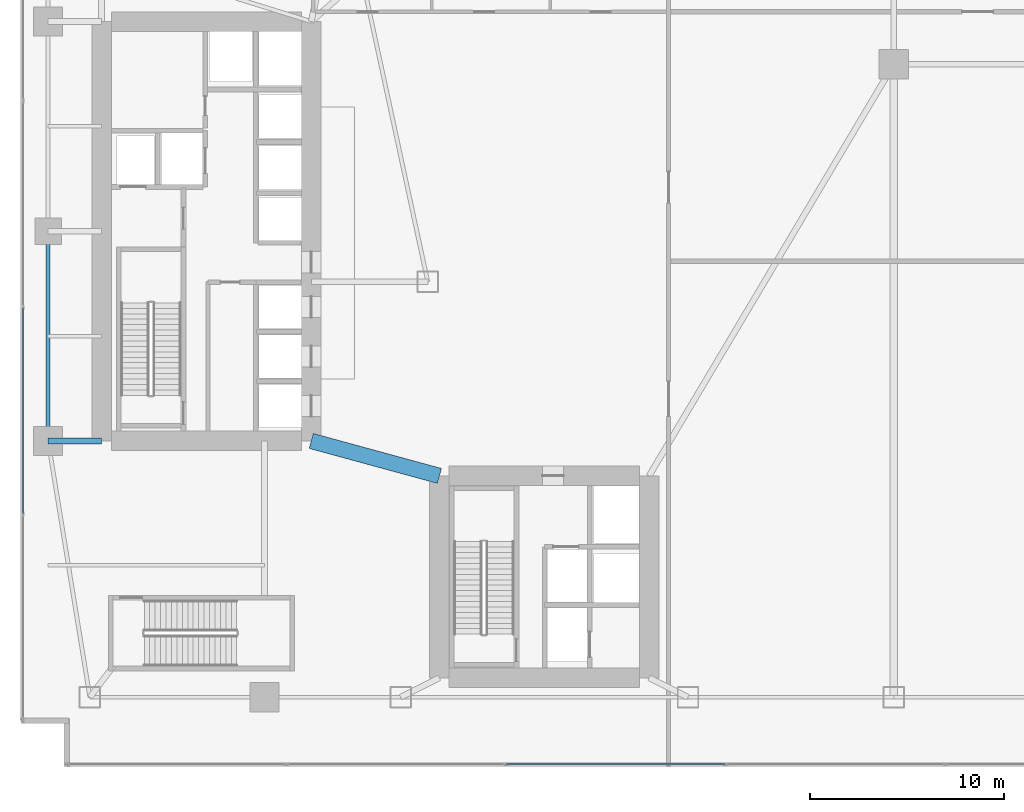
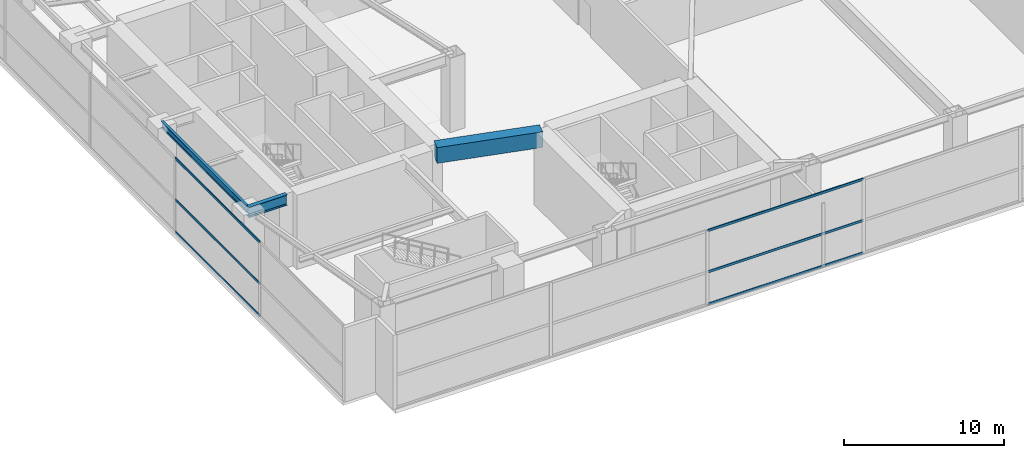
# One storey, part 8 of 35: 6 members, 3 beams, 2 elements without a shape of their own.
"""IFC4 building model written with IfcOpenShell, lengths in metres."""

from ifc_helpers import new_model, si_unit, direction, frame, origin, origin_2d, place, context, subcontext, project, spatial, rectangle, hollow_rectangle, i_section, extrude, material, layer, layer_set, material_profile, profile_set, type_object, element, aggregate, save


model = new_model("IFC4")

# Units and contexts
model_context = context("Model", 3, precision=1e-05, world=origin(), true_north=direction((0.0, 1.0)))
body_context = subcontext(model_context, "Body", "Model", "MODEL_VIEW")
ifc_project = project(units=[si_unit("LENGTHUNIT", "METRE"), si_unit("AREAUNIT", "SQUARE_METRE"), si_unit("VOLUMEUNIT", "CUBIC_METRE"), si_unit("PLANEANGLEUNIT", "RADIAN"), si_unit("MASSUNIT", "GRAM", prefix="KILO")], contexts=[model_context])

# Site, building, storey
site_placement = place(None, origin())
site = spatial("IfcSite", under=ifc_project, at=site_placement, CompositionType="ELEMENT")
building_placement = place(site_placement, origin())
building = spatial("IfcBuilding", under=site, at=building_placement, Name="Calvorn Quay Hotel", CompositionType="ELEMENT")
storey_placement = place(building_placement, frame((0.0, 0.0, 6.0)))
storey = spatial("IfcBuildingStorey", under=building, at=storey_placement, Name="L01", CompositionType="ELEMENT", Elevation=6.0)

# Beams
ifc_material_1 = material(Name="Steel Q390GJC", Category="steel")
ifc_material_profile_1 = material_profile(ifc_material_1, i_section(OverallWidth=0.300048828125, OverallDepth=0.800048828125, WebThickness=0.013916015625, FlangeThickness=0.02587890625, FilletRadius=0.02392578125, at=origin_2d()), Name="HN800x300x14x26")
ifc_profile_set_1 = profile_set([ifc_material_profile_1], Name="Steel Q390GJC")
beam_type_1 = type_object("IfcBeamType", Name="BM-GIRD-POD", PredefinedType="BEAM", material=ifc_profile_set_1)
beam_1_placement = place(storey_placement, frame((1.449951171875, 16.800048828125, 5.280029296875), z_axis=(1.0, 0.0, 0.0), x_axis=(0.0, 1.0, 0.0)))
element("IfcBeam", 1, at=beam_1_placement, inside=storey, type_object=beam_type_1, Name="Beam BG-L01-W1", PredefinedType="BEAM", context=body_context, shape_type="SweptSolid", body=[
    extrude(i_section(OverallWidth=0.300048828125, OverallDepth=0.800048828125, WebThickness=0.013916015625, FlangeThickness=0.02587890625, FilletRadius=0.02392578125, at=origin_2d()), origin(), (0.0, 0.0, 1.0), 2.75),
])
ifc_material_2 = material(Name="Concrete C60", Category="concrete")
ifc_material_profile_2 = material_profile(ifc_material_2, rectangle(XDim=0.800048828125, YDim=1.199951171875, at=origin_2d()), Name="RCB800x1200")
ifc_profile_set_2 = profile_set([ifc_material_profile_2], Name="Concrete C60")
beam_type_2 = type_object("IfcBeamType", Name="BM-RC-LINK-800x1200", PredefinedType="BEAM", material=ifc_profile_set_2)
beam_2_placement = place(storey_placement, frame((15.0, 16.800048828125, 5.080078125), z_axis=(0.964762997686, -0.263120425462, 0.0), x_axis=(0.263120425462, 0.964762997686, 0.0)))
element("IfcBeam", 2, at=beam_2_placement, inside=storey, type_object=beam_type_2, Name="Beam BCL-L01-01", PredefinedType="BEAM", context=body_context, shape_type="SweptSolid", body=[
    extrude(rectangle(XDim=0.800048828125, YDim=1.199951171875, at=origin_2d()), origin(), (0.0, 0.0, 1.0), 6.841064453125),
])
ifc_material_3 = material(Name="Steel Q355B", Category="steel")
ifc_material_profile_3 = material_profile(ifc_material_3, i_section(OverallWidth=0.199951171875, OverallDepth=0.5, WebThickness=0.010009765625, FlangeThickness=0.01611328125, FilletRadius=0.01611328125, at=origin_2d()), Name="HN500x200x10x16")
ifc_profile_set_3 = profile_set([ifc_material_profile_3], Name="Steel Q355B")
beam_type_3 = type_object("IfcBeamType", Name="BM-SPANDREL-Z1", PredefinedType="SPANDREL", material=ifc_profile_set_3)
beam_3_placement = place(storey_placement, frame((1.449951171875, 16.800048828125, 5.429931640625), z_axis=(0.0, 1.0, 0.0), x_axis=(-1.0, 0.0, 0.0)))
element("IfcBeam", 3, at=beam_3_placement, inside=storey, type_object=beam_type_3, Name="Beam BSP-L01-W2", PredefinedType="SPANDREL", context=body_context, shape_type="SweptSolid", body=[
    extrude(i_section(OverallWidth=0.199951171875, OverallDepth=0.5, WebThickness=0.010009765625, FlangeThickness=0.01611328125, FilletRadius=0.01611328125, at=origin_2d()), origin(), (0.0, 0.0, 1.0), 10.800048828125),
])

# Curtain wall, members
ifc_material_4 = material(Name="Pale Anodised Aluminium and Low-E Glass", Category="aluminium")
ifc_layer = layer(ifc_material_4, 0.219970703125)
ifc_layer_set = layer_set([ifc_layer], Name="CW-SYS-POD")
curtain_wall_type = type_object("IfcCurtainWallType", Name="CW-SYS-POD", PredefinedType="NOTDEFINED", material=ifc_layer_set)
curtain_wall_1_placement = place(storey_placement, origin())
curtain_wall_1 = element("IfcCurtainWall", 4, at=curtain_wall_1_placement, inside=storey, type_object=curtain_wall_type, Name="Podium Curtain Wall L01-S1", PredefinedType="NOTDEFINED")
ifc_material_5 = material(Name="Pale Anodised Aluminium 6063-T6", Category="aluminium")
ifc_material_profile_4 = material_profile(ifc_material_5, hollow_rectangle(XDim=0.070068359375, YDim=0.179931640625, WallThickness=0.00390625, at=origin_2d()), Name="ALU-T180x70x4")
ifc_profile_set_4 = profile_set([ifc_material_profile_4], Name="Pale Anodised Aluminium 6063-T6")
member_type = type_object("IfcMemberType", Name="CW-SYS-POD-TRN", PredefinedType="USERDEFINED", material=ifc_profile_set_4)
member_1_placement = place(storey_placement, frame((25.05859375, 0.14990234375, 0.030029296875), z_axis=(1.0, 0.0, 0.0), x_axis=(0.0, 1.0, 0.0)))
member_1 = element("IfcMember", 5, at=member_1_placement, type_object=member_type, Name="CW-L01-S1 transom 3.1", ObjectType="TRANSOM", PredefinedType="USERDEFINED", context=body_context, shape_type="SweptSolid", body=[
    extrude(hollow_rectangle(XDim=0.070068359375, YDim=0.179931640625, WallThickness=0.00390625, at=origin_2d()), origin(), (0.0, 0.0, 1.0), 11.254150390625),
])
member_2_placement = place(storey_placement, frame((25.05859375, 0.14990234375, 2.5), z_axis=(1.0, 0.0, 0.0), x_axis=(0.0, 1.0, 0.0)))
member_2 = element("IfcMember", 6, at=member_2_placement, type_object=member_type, Name="CW-L01-S1 transom 3.2", ObjectType="TRANSOM", PredefinedType="USERDEFINED", context=body_context, shape_type="SweptSolid", body=[
    extrude(hollow_rectangle(XDim=0.070068359375, YDim=0.179931640625, WallThickness=0.00390625, at=origin_2d()), origin(), (0.0, 0.0, 1.0), 11.254150390625),
])
member_3_placement = place(storey_placement, frame((25.05859375, 0.14990234375, 5.64990234375), z_axis=(1.0, 0.0, 0.0), x_axis=(0.0, 1.0, 0.0)))
member_3 = element("IfcMember", 7, at=member_3_placement, type_object=member_type, Name="CW-L01-S1 transom 3.3", ObjectType="TRANSOM", PredefinedType="USERDEFINED", context=body_context, shape_type="SweptSolid", body=[
    extrude(hollow_rectangle(XDim=0.070068359375, YDim=0.179931640625, WallThickness=0.00390625, at=origin_2d()), origin(), (0.0, 0.0, 1.0), 11.254150390625),
])
aggregate(curtain_wall_1, [member_1, member_2, member_3])

curtain_wall_2_placement = place(storey_placement, origin())
curtain_wall_2 = element("IfcCurtainWall", 8, at=curtain_wall_2_placement, inside=storey, type_object=curtain_wall_type, Name="Podium Curtain Wall L01-W1", PredefinedType="NOTDEFINED")
member_4_placement = place(storey_placement, frame((0.14990234375, 13.070068359375, 0.030029296875), z_axis=(0.0, 1.0, 0.0), x_axis=(-1.0, 0.0, 0.0)))
member_4 = element("IfcMember", 9, at=member_4_placement, type_object=member_type, Name="CW-L01-W1 transom 2.1", ObjectType="TRANSOM", PredefinedType="USERDEFINED", context=body_context, shape_type="SweptSolid", body=[
    extrude(hollow_rectangle(XDim=0.070068359375, YDim=0.179931640625, WallThickness=0.00390625, at=origin_2d()), origin(), (0.0, 0.0, 1.0), 10.579833984375),
])
member_5_placement = place(storey_placement, frame((0.14990234375, 13.070068359375, 2.5), z_axis=(0.0, 1.0, 0.0), x_axis=(-1.0, 0.0, 0.0)))
member_5 = element("IfcMember", 10, at=member_5_placement, type_object=member_type, Name="CW-L01-W1 transom 2.2", ObjectType="TRANSOM", PredefinedType="USERDEFINED", context=body_context, shape_type="SweptSolid", body=[
    extrude(hollow_rectangle(XDim=0.070068359375, YDim=0.179931640625, WallThickness=0.00390625, at=origin_2d()), origin(), (0.0, 0.0, 1.0), 10.579833984375),
])
member_6_placement = place(storey_placement, frame((0.14990234375, 13.070068359375, 5.64990234375), z_axis=(0.0, 1.0, 0.0), x_axis=(-1.0, 0.0, 0.0)))
member_6 = element("IfcMember", 11, at=member_6_placement, type_object=member_type, Name="CW-L01-W1 transom 2.3", ObjectType="TRANSOM", PredefinedType="USERDEFINED", context=body_context, shape_type="SweptSolid", body=[
    extrude(hollow_rectangle(XDim=0.070068359375, YDim=0.179931640625, WallThickness=0.00390625, at=origin_2d()), origin(), (0.0, 0.0, 1.0), 10.579833984375),
])
aggregate(curtain_wall_2, [member_4, member_5, member_6])

save(model, "model.ifc")
